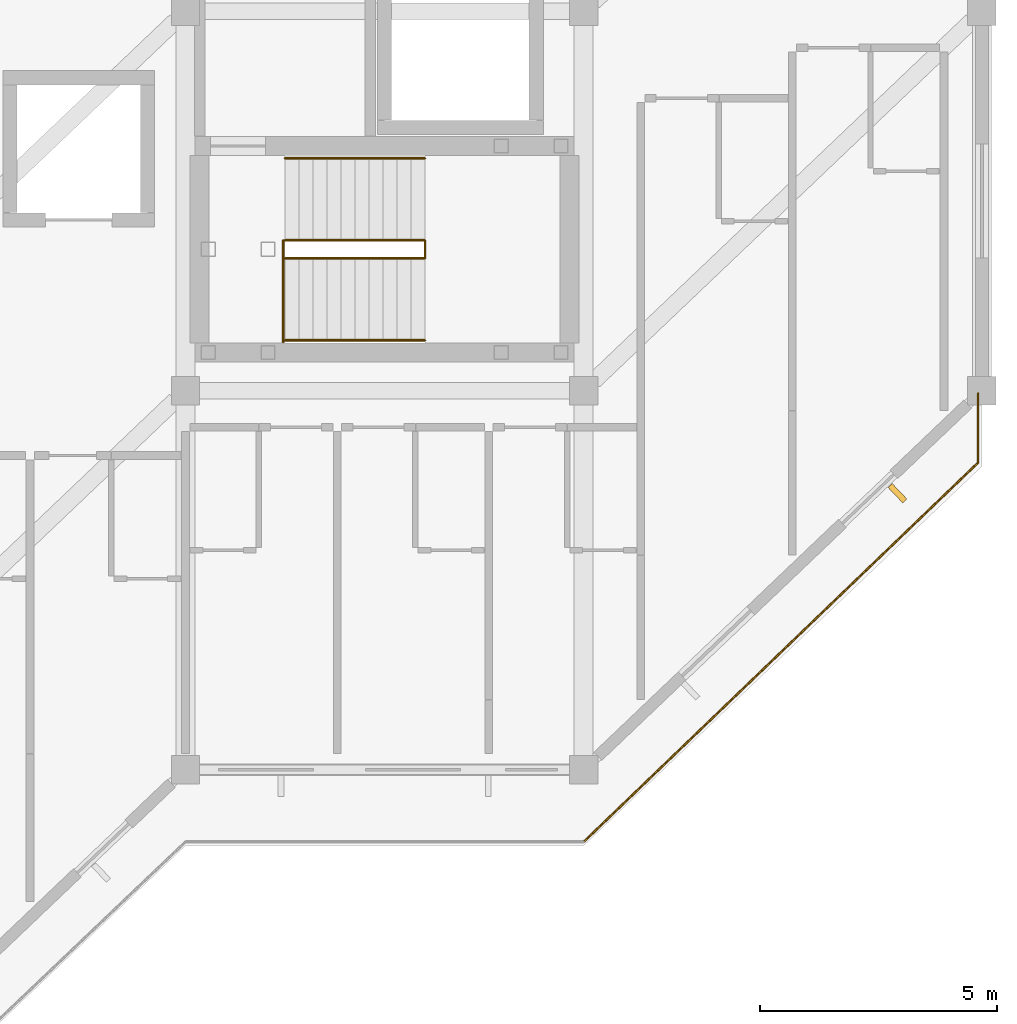
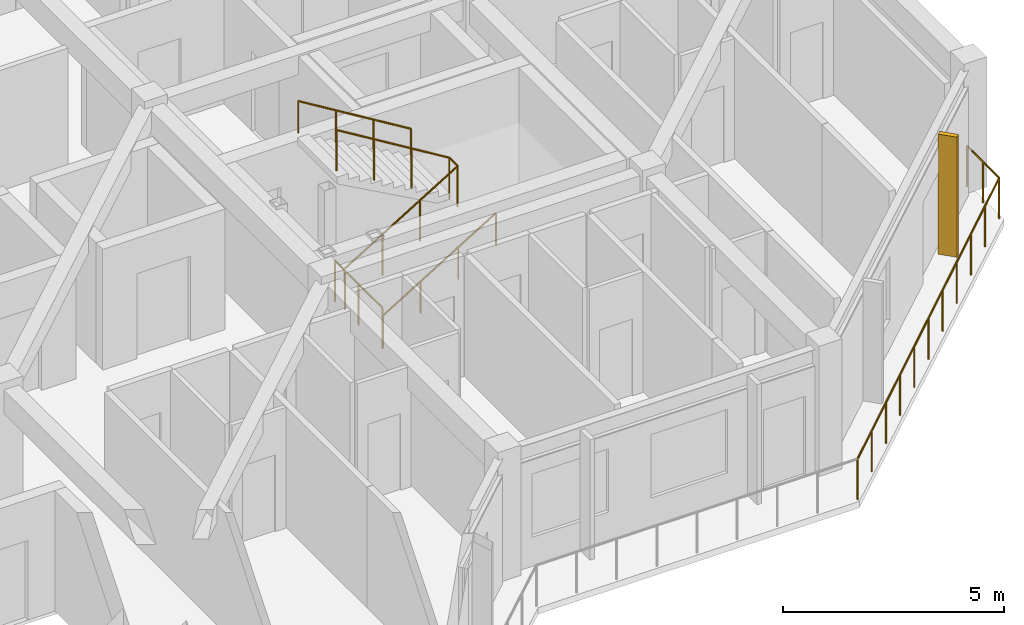
# One storey, part 14 of 14: 8 railings, 1 shading device.
"""IFC4 building model written with IfcOpenShell, lengths in metres."""

from ifc_helpers import new_model, si_unit, direction, frame, origin, origin_2d, place, context, subcontext, project, spatial, rectangle, circle, extrude, material, layer, layer_set, type_object, element, save


model = new_model("IFC4")

# Units and contexts
model_context = context("Model", 3, precision=1e-05, world=origin(), true_north=direction((0.0, 1.0)))
body_context = subcontext(model_context, "Body", "Model", "MODEL_VIEW")
ifc_project = project(units=[si_unit("LENGTHUNIT", "METRE"), si_unit("AREAUNIT", "SQUARE_METRE"), si_unit("VOLUMEUNIT", "CUBIC_METRE"), si_unit("PLANEANGLEUNIT", "RADIAN"), si_unit("MASSUNIT", "GRAM", prefix="KILO")], contexts=[model_context])

# Site, building, storey
site_placement = place(None, origin())
site = spatial("IfcSite", under=ifc_project, at=site_placement, CompositionType="ELEMENT")
building_placement = place(site_placement, origin())
building = spatial("IfcBuilding", under=site, at=building_placement, Name="Naruveol Harbour Congress Hotel", CompositionType="ELEMENT")
storey_placement = place(building_placement, frame((0.0, 0.0, 39.60009765625)))
storey = spatial("IfcBuildingStorey", under=building, at=storey_placement, Name="L09", CompositionType="ELEMENT", Elevation=39.60009765625)

# Railings
ifc_material_1 = material(Name="Tempered Laminated Safety Glass & Stainless Steel", Category="steel")
ifc_layer_1 = layer(ifc_material_1, 0.06005859375)
ifc_layer_set_1 = layer_set([ifc_layer_1], Name="Tempered Laminated Safety Glass & Stainless Steel")
railing_type_1 = type_object("IfcRailingType", Name="LAMINATED GLASS TERRACE BALUSTRADE 1150", PredefinedType="BALUSTRADE", material=ifc_layer_set_1)
railing_1_placement = place(storey_placement, frame((159.60009765625, 6.47998046875, 0.0)))
element("IfcRailing", 1, at=railing_1_placement, inside=storey, type_object=railing_type_1, Name="L09 Harbour balcony balustrade #126", PredefinedType="BALUSTRADE", context=body_context, shape_type="SweptSolid", body=[
    extrude(circle(Radius=0.02392578125, at=origin_2d()), frame((0.0, 0.0, 1.1259765625), z_axis=(0.720825748563, 0.693116325164, 0.0), x_axis=(-0.693116325164, 0.720825748563, 0.0)), (0.0, 0.0, 1.0), 11.5419921875),
    extrude(circle(Radius=0.02099609375, at=origin_2d()), origin(), (0.0, 0.0, 1.0), 1.101806640625),
    extrude(circle(Radius=0.02099609375, at=origin_2d()), frame((0.83203125, 0.800048828125, 0.0)), (0.0, 0.0, 1.0), 1.101806640625),
    extrude(circle(Radius=0.02099609375, at=origin_2d()), frame((1.6640625, 1.60009765625, 0.0)), (0.0, 0.0, 1.0), 1.101806640625),
    extrude(circle(Radius=0.02099609375, at=origin_2d()), frame((2.495849609375, 2.39990234375, 0.0)), (0.0, 0.0, 1.0), 1.101806640625),
    extrude(circle(Radius=0.02099609375, at=origin_2d()), frame((3.327880859375, 3.199951171875, 0.0)), (0.0, 0.0, 1.0), 1.101806640625),
    extrude(circle(Radius=0.02099609375, at=origin_2d()), frame((4.159912109375, 4.0, 0.0)), (0.0, 0.0, 1.0), 1.101806640625),
    extrude(circle(Radius=0.02099609375, at=origin_2d()), frame((4.991943359375, 4.800048828125, 0.0)), (0.0, 0.0, 1.0), 1.101806640625),
    extrude(circle(Radius=0.02099609375, at=origin_2d()), frame((5.823974609375, 5.60009765625, 0.0)), (0.0, 0.0, 1.0), 1.101806640625),
    extrude(circle(Radius=0.02099609375, at=origin_2d()), frame((6.65576171875, 6.39990234375, 0.0)), (0.0, 0.0, 1.0), 1.101806640625),
    extrude(circle(Radius=0.02099609375, at=origin_2d()), frame((7.48779296875, 7.199951171875, 0.0)), (0.0, 0.0, 1.0), 1.101806640625),
    extrude(circle(Radius=0.02099609375, at=origin_2d()), frame((8.31982421875, 8.0, 0.0)), (0.0, 0.0, 1.0), 1.101806640625),
])
railing_2_placement = place(storey_placement, frame((167.919921875, 14.47998046875, 0.0)))
element("IfcRailing", 2, at=railing_2_placement, inside=storey, type_object=railing_type_1, Name="L09 Harbour balcony balustrade #127", PredefinedType="BALUSTRADE", context=body_context, shape_type="SweptSolid", body=[
    extrude(circle(Radius=0.02392578125, at=origin_2d()), frame((0.0, 0.0, 1.1259765625), z_axis=(0.0, 1.0, 0.0), x_axis=(-1.0, 0.0, 0.0)), (0.0, 0.0, 1.0), 1.4599609375),
    extrude(circle(Radius=0.02099609375, at=origin_2d()), origin(), (0.0, 0.0, 1.0), 1.101806640625),
    extrude(circle(Radius=0.02099609375, at=origin_2d()), frame((0.0, 0.72998046875, 0.0)), (0.0, 0.0, 1.0), 1.101806640625),
    extrude(circle(Radius=0.02099609375, at=origin_2d()), frame((0.0, 1.4599609375, 0.0)), (0.0, 0.0, 1.0), 1.101806640625),
])

# Shading device
ifc_material_2 = material(Name="Precast concrete C40/50", Category="concrete")
shading_device_type = type_object("IfcShadingDeviceType", Name="PRECAST VERTICAL BRISE SOLEIL FIN 120X450", PredefinedType="JALOUSIE", material=ifc_material_2)
shading_device_placement = place(storey_placement, frame((166.218994140625, 13.833984375, 0.0), z_axis=(0.0, 0.0, 1.0), x_axis=(-0.724171861437, -0.689619543736, 0.0)))
element("IfcShadingDevice", 3, at=shading_device_placement, inside=storey, type_object=shading_device_type, Name="Precast brise-soleil fin BS-V450 #104", PredefinedType="JALOUSIE", context=body_context, shape_type="SweptSolid", body=[
    extrude(rectangle(XDim=0.1201171875, YDim=0.449951171875, at=origin_2d()), origin(), (0.0, 0.0, 1.0), 3.320068359375),
])

# Railings
ifc_material_3 = material(Name="Stainless Steel 304", Category="steel")
ifc_layer_2 = layer(ifc_material_3, 0.0419921875)
ifc_layer_set_2 = layer_set([ifc_layer_2], Name="Stainless Steel 304")
railing_type_2 = type_object("IfcRailingType", Name="STAIR WALL MOUNTED HANDRAIL 900", PredefinedType="HANDRAIL", material=ifc_layer_set_2)
railing_3_placement = place(storey_placement, frame((153.300048828125, 17.06005859375, 0.0)))
element("IfcRailing", 4, at=railing_3_placement, inside=storey, type_object=railing_type_2, Name="Stair ST2 L09 lower wall handrail", PredefinedType="HANDRAIL", context=body_context, shape_type="SweptSolid", body=[
    extrude(circle(Radius=0.02392578125, at=origin_2d()), frame((0.0, 0.0, 0.8759765625), z_axis=(0.853660576587, 0.0, 0.520829741836), x_axis=(0.0, 1.0, 0.0)), (0.0, 0.0, 1.0), 3.45556640625),
    extrude(circle(Radius=0.02099609375, at=origin_2d()), origin(), (0.0, 0.0, 1.0), 0.851806640625),
    extrude(circle(Radius=0.02099609375, at=origin_2d()), frame((0.9833984375, 0.0, 0.599853515625)), (0.0, 0.0, 1.0), 0.851806640625),
    extrude(circle(Radius=0.02099609375, at=origin_2d()), frame((1.966552734375, 0.0, 1.199951171875)), (0.0, 0.0, 1.0), 0.851806640625),
    extrude(circle(Radius=0.02099609375, at=origin_2d()), frame((2.949951171875, 0.0, 1.7998046875)), (0.0, 0.0, 1.0), 0.851806640625),
])
railing_4_placement = place(storey_placement, frame((156.25, 20.89990234375, 1.7998046875)))
element("IfcRailing", 5, at=railing_4_placement, inside=storey, type_object=railing_type_2, Name="Stair ST2 L09 upper wall handrail", PredefinedType="HANDRAIL", context=body_context, shape_type="SweptSolid", body=[
    extrude(circle(Radius=0.02392578125, at=origin_2d()), frame((0.0, 0.0, 0.8759765625), z_axis=(-0.85362916449, 0.0, 0.520881224016), x_axis=(0.0, -1.0, 0.0)), (0.0, 0.0, 1.0), 3.455810546875),
    extrude(circle(Radius=0.02099609375, at=origin_2d()), origin(), (0.0, 0.0, 1.0), 0.851806640625),
    extrude(circle(Radius=0.02099609375, at=origin_2d()), frame((-0.9833984375, 0.0, 0.60009765625)), (0.0, 0.0, 1.0), 0.851806640625),
    extrude(circle(Radius=0.02099609375, at=origin_2d()), frame((-1.966552734375, 0.0, 1.199951171875)), (0.0, 0.0, 1.0), 0.851806640625),
    extrude(circle(Radius=0.02099609375, at=origin_2d()), frame((-2.949951171875, 0.0, 1.800048828125)), (0.0, 0.0, 1.0), 0.851806640625),
])
ifc_material_4 = material(Name="Steel SN490", Category="steel")
ifc_layer_3 = layer(ifc_material_4, 0.044921875)
ifc_layer_set_3 = layer_set([ifc_layer_3], Name="Steel SN490")
railing_type_3 = type_object("IfcRailingType", Name="STAIRWELL STEEL GUARDRAIL 1150", PredefinedType="GUARDRAIL", material=ifc_layer_set_3)
railing_5_placement = place(storey_placement, frame((153.300048828125, 18.7900390625, 0.0)))
element("IfcRailing", 6, at=railing_5_placement, inside=storey, type_object=railing_type_3, Name="Stair ST2 L09 lower well guard", PredefinedType="GUARDRAIL", context=body_context, shape_type="SweptSolid", body=[
    extrude(circle(Radius=0.02392578125, at=origin_2d()), frame((0.0, 0.0, 1.1259765625), z_axis=(0.853660576587, 0.0, 0.520829741836), x_axis=(0.0, 1.0, 0.0)), (0.0, 0.0, 1.0), 3.45556640625),
    extrude(circle(Radius=0.02099609375, at=origin_2d()), origin(), (0.0, 0.0, 1.0), 1.101806640625),
    extrude(circle(Radius=0.02099609375, at=origin_2d()), frame((0.9833984375, 0.0, 0.599853515625)), (0.0, 0.0, 1.0), 1.101806640625),
    extrude(circle(Radius=0.02099609375, at=origin_2d()), frame((1.966552734375, 0.0, 1.199951171875)), (0.0, 0.0, 1.0), 1.101806640625),
    extrude(circle(Radius=0.02099609375, at=origin_2d()), frame((2.949951171875, 0.0, 1.7998046875)), (0.0, 0.0, 1.0), 1.101806640625),
])
railing_6_placement = place(storey_placement, frame((156.25, 18.7900390625, 1.7998046875)))
element("IfcRailing", 7, at=railing_6_placement, inside=storey, type_object=railing_type_3, Name="Stair ST2 L09 half-landing slot guard", PredefinedType="GUARDRAIL", context=body_context, shape_type="SweptSolid", body=[
    extrude(circle(Radius=0.02392578125, at=origin_2d()), frame((0.0, 0.0, 1.1259765625), z_axis=(0.0, 1.0, 0.0), x_axis=(-1.0, 0.0, 0.0)), (0.0, 0.0, 1.0), 0.3798828125),
    extrude(circle(Radius=0.02099609375, at=origin_2d()), origin(), (0.0, 0.0, 1.0), 1.101806640625),
    extrude(circle(Radius=0.02099609375, at=origin_2d()), frame((0.0, 0.3798828125, 0.0)), (0.0, 0.0, 1.0), 1.101806640625),
])
railing_7_placement = place(storey_placement, frame((156.25, 19.169921875, 1.7998046875)))
element("IfcRailing", 8, at=railing_7_placement, inside=storey, type_object=railing_type_3, Name="Stair ST2 L09 upper well guard", PredefinedType="GUARDRAIL", context=body_context, shape_type="SweptSolid", body=[
    extrude(circle(Radius=0.02392578125, at=origin_2d()), frame((0.0, 0.0, 1.1259765625), z_axis=(-0.85362916449, 0.0, 0.520881224016), x_axis=(0.0, -1.0, 0.0)), (0.0, 0.0, 1.0), 3.455810546875),
    extrude(circle(Radius=0.02099609375, at=origin_2d()), origin(), (0.0, 0.0, 1.0), 1.101806640625),
    extrude(circle(Radius=0.02099609375, at=origin_2d()), frame((-0.9833984375, 0.0, 0.60009765625)), (0.0, 0.0, 1.0), 1.101806640625),
    extrude(circle(Radius=0.02099609375, at=origin_2d()), frame((-1.966552734375, 0.0, 1.199951171875)), (0.0, 0.0, 1.0), 1.101806640625),
    extrude(circle(Radius=0.02099609375, at=origin_2d()), frame((-2.949951171875, 0.0, 1.800048828125)), (0.0, 0.0, 1.0), 1.101806640625),
])
railing_8_placement = place(storey_placement, frame((153.260009765625, 17.02001953125, 0.0)))
element("IfcRailing", 9, at=railing_8_placement, inside=storey, type_object=railing_type_3, Name="Stair ST2 L09 landing well guard", PredefinedType="GUARDRAIL", context=body_context, shape_type="SweptSolid", body=[
    extrude(circle(Radius=0.02392578125, at=origin_2d()), frame((0.0, 0.0, 1.1259765625), z_axis=(0.0, 1.0, 0.0), x_axis=(-1.0, 0.0, 0.0)), (0.0, 0.0, 1.0), 2.14990234375),
    extrude(circle(Radius=0.02099609375, at=origin_2d()), origin(), (0.0, 0.0, 1.0), 1.101806640625),
    extrude(circle(Radius=0.02099609375, at=origin_2d()), frame((0.0, 1.074951171875, 0.0)), (0.0, 0.0, 1.0), 1.101806640625),
    extrude(circle(Radius=0.02099609375, at=origin_2d()), frame((0.0, 2.14990234375, 0.0)), (0.0, 0.0, 1.0), 1.101806640625),
])

save(model, "model.ifc")
